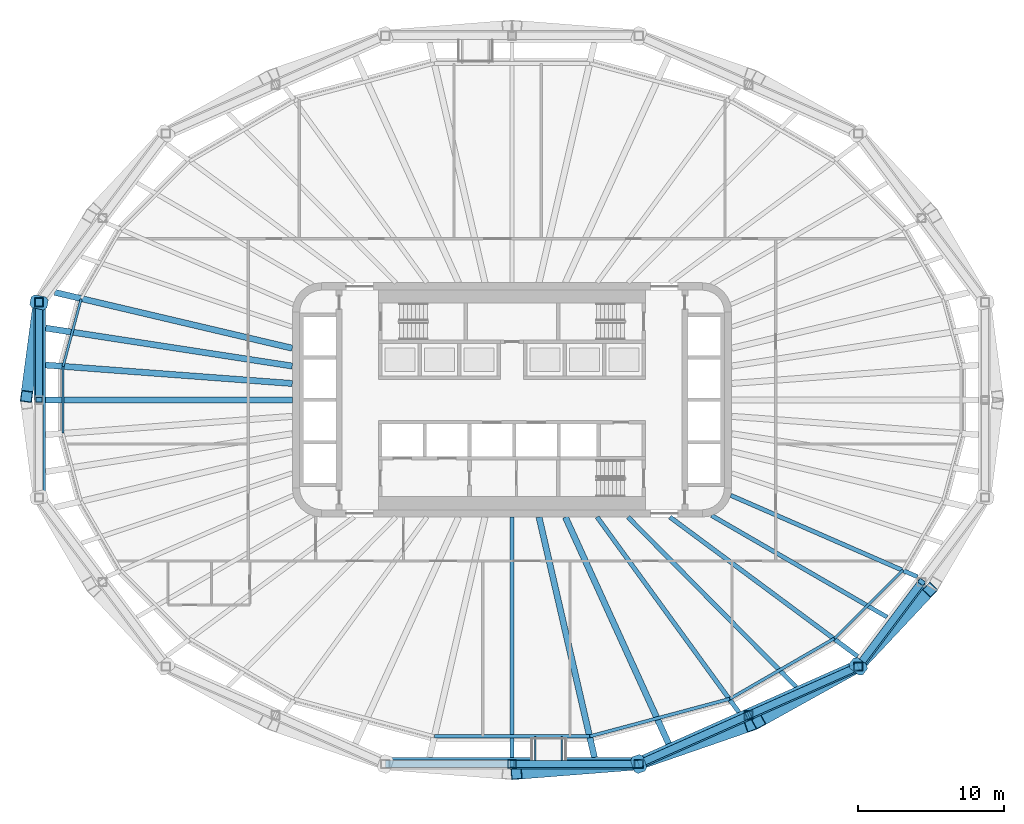
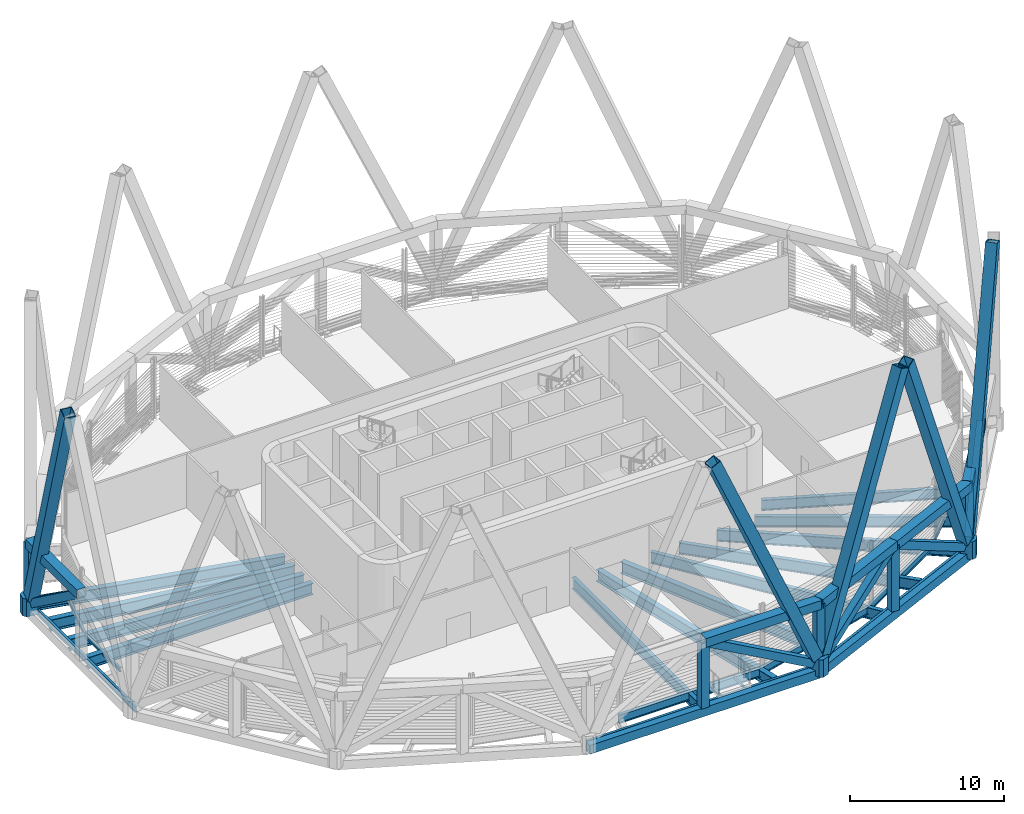
# One storey, part 2 of 18: 25 beams, 23 members.
"""IFC4 building model written with IfcOpenShell, lengths in metres."""

from ifc_helpers import new_model, si_unit, direction, frame, origin, origin_2d, place, context, subcontext, project, spatial, polyline, hollow_rectangle, i_section, outline, extrude, material, material_profile, profile_set, type_object, element, save


model = new_model("IFC4")

# Units and contexts
model_context = context("Model", 3, precision=1e-05, world=origin(), true_north=direction((0.0, 1.0)))
body_context = subcontext(model_context, "Body", "Model", "MODEL_VIEW")
ifc_project = project(units=[si_unit("LENGTHUNIT", "METRE"), si_unit("AREAUNIT", "SQUARE_METRE"), si_unit("VOLUMEUNIT", "CUBIC_METRE"), si_unit("PLANEANGLEUNIT", "RADIAN"), si_unit("MASSUNIT", "GRAM", prefix="KILO")], contexts=[model_context])

# Site, building, storey
site_placement = place(None, origin())
site = spatial("IfcSite", under=ifc_project, at=site_placement, CompositionType="ELEMENT")
building_placement = place(site_placement, origin())
building = spatial("IfcBuilding", under=site, at=building_placement, Name="Sahrelin Media Tower", CompositionType="ELEMENT")
storey_placement = place(building_placement, frame((0.0, 0.0, 197.60009765625)))
storey = spatial("IfcBuildingStorey", under=building, at=storey_placement, Name="L42", CompositionType="ELEMENT", Elevation=197.60009765625)

# Members
ifc_material_1 = material(Name="Steel S460", Category="steel")
ifc_material_profile_1 = material_profile(ifc_material_1, hollow_rectangle(XDim=0.699951171875, YDim=0.699951171875, WallThickness=0.044921875, at=origin_2d()), Name="Belt truss chord BC")
ifc_profile_set_1 = profile_set([ifc_material_profile_1], Name="Steel S460")
member_type_1 = type_object("IfcMemberType", Name="Belt truss chord BC", PredefinedType="CHORD", material=ifc_profile_set_1)
member_1_placement = place(storey_placement, frame((-32.288330078125, 6.6591796875, 4.849853515625), z_axis=(0.0, -1.0, 0.0), x_axis=(1.0, 0.0, 0.0)))
element("IfcMember", 1, at=member_1_placement, inside=storey, type_object=member_type_1, Name="Belt truss member BT09-05-T1", PredefinedType="CHORD", context=body_context, shape_type="SweptSolid", body=[
    extrude(hollow_rectangle(XDim=0.699951171875, YDim=0.699951171875, WallThickness=0.044921875, at=origin_2d()), origin(), (0.0, 0.0, 1.0), 6.6591796875),
])
member_2_placement = place(storey_placement, frame((0.0, -24.852294921875, 4.849853515625), z_axis=(1.0, 0.0, 0.0), x_axis=(0.0, 1.0, 0.0)))
element("IfcMember", 2, at=member_2_placement, inside=storey, type_object=member_type_1, Name="Belt truss member BT09-08-T2", PredefinedType="CHORD", context=body_context, shape_type="SweptSolid", body=[
    extrude(hollow_rectangle(XDim=0.699951171875, YDim=0.699951171875, WallThickness=0.044921875, at=origin_2d()), origin(), (0.0, 0.0, 1.0), 8.651611328125),
])
member_3_placement = place(storey_placement, frame((8.651611328125, -24.852294921875, 4.849853515625), z_axis=(0.913828738692, 0.406099786187, 0.0), x_axis=(-0.406099786187, 0.913828738692, 0.0)))
element("IfcMember", 3, at=member_3_placement, inside=storey, type_object=member_type_1, Name="Belt truss member BT09-09-T1", PredefinedType="CHORD", context=body_context, shape_type="SweptSolid", body=[
    extrude(hollow_rectangle(XDim=0.699951171875, YDim=0.699951171875, WallThickness=0.044921875, at=origin_2d()), origin(), (0.0, 0.0, 1.0), 8.198974609375),
])
member_4_placement = place(storey_placement, frame((16.14404296875, -21.522705078125, 4.849853515625), z_axis=(0.913833649239, 0.406088736016, 0.0), x_axis=(-0.406088736016, 0.913833649239, 0.0)))
element("IfcMember", 4, at=member_4_placement, inside=storey, type_object=member_type_1, Name="Belt truss member BT09-09-T2", PredefinedType="CHORD", context=body_context, shape_type="SweptSolid", body=[
    extrude(hollow_rectangle(XDim=0.699951171875, YDim=0.699951171875, WallThickness=0.044921875, at=origin_2d()), origin(), (0.0, 0.0, 1.0), 8.19921875),
])
member_5_placement = place(storey_placement, frame((23.63671875, -18.193115234375, 4.849853515625), z_axis=(0.600032510579, 0.799975616034, 0.0), x_axis=(-0.799975616034, 0.600032510579, 0.0)))
element("IfcMember", 5, at=member_5_placement, inside=storey, type_object=member_type_1, Name="Belt truss member BT09-10-T1", PredefinedType="CHORD", context=body_context, shape_type="SweptSolid", body=[
    extrude(hollow_rectangle(XDim=0.699951171875, YDim=0.699951171875, WallThickness=0.044921875, at=origin_2d()), origin(), (0.0, 0.0, 1.0), 7.208984375),
])
ifc_material_profile_2 = material_profile(ifc_material_1, hollow_rectangle(XDim=0.5, YDim=0.60009765625, WallThickness=0.030029296875, at=origin_2d()), Name="Belt truss diagonal BD")
ifc_profile_set_2 = profile_set([ifc_material_profile_2], Name="Steel S460")
member_type_2 = type_object("IfcMemberType", Name="Belt truss diagonal BD", PredefinedType="BRACE", material=ifc_profile_set_2)
member_6_placement = place(storey_placement, frame((-32.288330078125, 6.19970703125, 0.33447265625), z_axis=(0.0, -0.808332578732, 0.588726118124), x_axis=(1.0, 0.0, 0.0)))
element("IfcMember", 6, at=member_6_placement, inside=storey, type_object=member_type_2, Name="Belt truss member BT09-05-X1", PredefinedType="BRACE", context=body_context, shape_type="SweptSolid", body=[
    extrude(hollow_rectangle(XDim=0.5, YDim=0.60009765625, WallThickness=0.030029296875, at=origin_2d()), origin(), (0.0, 0.0, 1.0), 7.669677734375),
])
member_7_placement = place(storey_placement, frame((8.175048828125, -24.852294921875, 0.26708984375), z_axis=(-0.872290485618, 0.0, 0.488988045559), x_axis=(0.0, -1.0, 0.0)))
element("IfcMember", 7, at=member_7_placement, inside=storey, type_object=member_type_2, Name="Belt truss member BT09-08-X2", PredefinedType="BRACE", context=body_context, shape_type="SweptSolid", body=[
    extrude(hollow_rectangle(XDim=0.5, YDim=0.60009765625, WallThickness=0.030029296875, at=origin_2d()), origin(), (0.0, 0.0, 1.0), 9.371826171875),
])
member_8_placement = place(storey_placement, frame((9.064208984375, -24.668701171875, 0.26708984375), z_axis=(0.78653625123, 0.349505366852, 0.509123486045), x_axis=(-0.406074139919, 0.913840135302, 0.0)))
element("IfcMember", 8, at=member_8_placement, inside=storey, type_object=member_type_2, Name="Belt truss member BT09-09-X1", PredefinedType="BRACE", context=body_context, shape_type="SweptSolid", body=[
    extrude(hollow_rectangle(XDim=0.5, YDim=0.60009765625, WallThickness=0.030029296875, at=origin_2d()), origin(), (0.0, 0.0, 1.0), 9.001220703125),
])
member_9_placement = place(storey_placement, frame((23.1689453125, -18.40087890625, 0.302734375), z_axis=(-0.786532796821, -0.349530648257, 0.509111466629), x_axis=(0.406100158654, -0.913828573169, 0.0)))
element("IfcMember", 9, at=member_9_placement, inside=storey, type_object=member_type_2, Name="Belt truss member BT09-09-X2", PredefinedType="BRACE", context=body_context, shape_type="SweptSolid", body=[
    extrude(hollow_rectangle(XDim=0.5, YDim=0.60009765625, WallThickness=0.030029296875, at=origin_2d()), origin(), (0.0, 0.0, 1.0), 8.931396484375),
])
member_10_placement = place(storey_placement, frame((23.906494140625, -17.8330078125, 0.302734375), z_axis=(0.497883709861, 0.663735058225, 0.558182393075), x_axis=(-0.799952318915, 0.600063569519, 0.0)))
element("IfcMember", 10, at=member_10_placement, inside=storey, type_object=member_type_2, Name="Belt truss member BT09-10-X1", PredefinedType="BRACE", context=body_context, shape_type="SweptSolid", body=[
    extrude(hollow_rectangle(XDim=0.5, YDim=0.60009765625, WallThickness=0.030029296875, at=origin_2d()), origin(), (0.0, 0.0, 1.0), 8.146240234375),
])
ifc_material_profile_3 = material_profile(ifc_material_1, hollow_rectangle(XDim=0.60009765625, YDim=0.60009765625, WallThickness=0.034912109375, at=origin_2d()), Name="Belt truss post BP")
ifc_profile_set_3 = profile_set([ifc_material_profile_3], Name="Steel S460")
member_type_3 = type_object("IfcMemberType", Name="Belt truss post BP", PredefinedType="POST", material=ifc_profile_set_3)
member_11_placement = place(storey_placement, frame((-32.288330078125, 6.6591796875, 0.699951171875), z_axis=(0.0, 0.0, 1.0), x_axis=(1.0, 0.0, 0.0)))
element("IfcMember", 11, at=member_11_placement, inside=storey, type_object=member_type_3, Name="Belt truss member BT09-05-P0", PredefinedType="POST", context=body_context, shape_type="SweptSolid", body=[
    extrude(hollow_rectangle(XDim=0.60009765625, YDim=0.60009765625, WallThickness=0.034912109375, at=origin_2d()), origin(), (0.0, 0.0, 1.0), 4.14990234375),
])
member_12_placement = place(storey_placement, frame((0.0, -24.852294921875, -0.320068359375), z_axis=(0.0, 0.0, 1.0), x_axis=(1.0, 0.0, 0.0)))
element("IfcMember", 12, at=member_12_placement, inside=storey, type_object=member_type_3, Name="Belt truss member BT09-08-P1", PredefinedType="POST", context=body_context, shape_type="SweptSolid", body=[
    extrude(hollow_rectangle(XDim=0.60009765625, YDim=0.60009765625, WallThickness=0.034912109375, at=origin_2d()), origin(), (0.0, 0.0, 1.0), 5.169921875),
])
member_13_placement = place(storey_placement, frame((8.651611328125, -24.852294921875, 0.699951171875), z_axis=(0.0, 0.0, 1.0), x_axis=(1.0, 0.0, 0.0)))
element("IfcMember", 13, at=member_13_placement, inside=storey, type_object=member_type_3, Name="Belt truss member BT09-09-P0", PredefinedType="POST", context=body_context, shape_type="SweptSolid", body=[
    extrude(hollow_rectangle(XDim=0.60009765625, YDim=0.60009765625, WallThickness=0.034912109375, at=origin_2d()), origin(), (0.0, 0.0, 1.0), 4.14990234375),
])
member_14_placement = place(storey_placement, frame((16.14404296875, -21.522705078125, -0.320068359375), z_axis=(0.0, 0.0, 1.0), x_axis=(1.0, 0.0, 0.0)))
element("IfcMember", 14, at=member_14_placement, inside=storey, type_object=member_type_3, Name="Belt truss member BT09-09-P1", PredefinedType="POST", context=body_context, shape_type="SweptSolid", body=[
    extrude(hollow_rectangle(XDim=0.60009765625, YDim=0.60009765625, WallThickness=0.034912109375, at=origin_2d()), origin(), (0.0, 0.0, 1.0), 5.169921875),
])
member_15_placement = place(storey_placement, frame((23.63671875, -18.193115234375, 0.699951171875), z_axis=(0.0, 0.0, 1.0), x_axis=(1.0, 0.0, 0.0)))
element("IfcMember", 15, at=member_15_placement, inside=storey, type_object=member_type_3, Name="Belt truss member BT09-10-P0", PredefinedType="POST", context=body_context, shape_type="SweptSolid", body=[
    extrude(hollow_rectangle(XDim=0.60009765625, YDim=0.60009765625, WallThickness=0.034912109375, at=origin_2d()), origin(), (0.0, 0.0, 1.0), 4.14990234375),
])
ifc_material_profile_4 = material_profile(ifc_material_1, hollow_rectangle(XDim=0.800048828125, YDim=0.800048828125, WallThickness=0.044921875, at=origin_2d()), Name="Diagrid diagonal DG5")
ifc_profile_set_4 = profile_set([ifc_material_profile_4], Name="Steel S460")
member_type_4 = type_object("IfcMemberType", Name="Diagrid diagonal DG5", PredefinedType="BRACE", material=ifc_profile_set_4)
member_16_placement = place(storey_placement, frame((-32.319091796875, 6.426025390625, 0.699951171875), z_axis=(-0.041882656654, -0.315625510602, 0.947959060365), x_axis=(0.991310304721, -0.131544212162, 0.0)))
element("IfcMember", 16, at=member_16_placement, inside=storey, type_object=member_type_4, Name="Diagrid diagonal D09-11", PredefinedType="BRACE", context=body_context, shape_type="SweptSolid", body=[
    extrude(hollow_rectangle(XDim=0.800048828125, YDim=0.800048828125, WallThickness=0.044921875, at=origin_2d()), origin(), (0.0, 0.0, 1.0), 19.620849609375),
])
member_17_placement = place(storey_placement, frame((8.348876953125, -24.8759765625, 0.699951171875), z_axis=(-0.396841182378, -0.031186657231, 0.917357328624), x_axis=(0.078345692671, -0.996926252257, 0.0)))
element("IfcMember", 17, at=member_17_placement, inside=storey, type_object=member_type_4, Name="Diagrid diagonal D09-18", PredefinedType="BRACE", context=body_context, shape_type="SweptSolid", body=[
    extrude(hollow_rectangle(XDim=0.800048828125, YDim=0.800048828125, WallThickness=0.044921875, at=origin_2d()), origin(), (0.0, 0.0, 1.0), 20.275390625),
])
member_18_placement = place(storey_placement, frame((8.92919921875, -24.75634765625, 0.699951171875), z_axis=(0.365804045069, 0.12635634696, 0.922074549152), x_axis=(-0.326491805711, 0.945200032165, 0.0)))
element("IfcMember", 18, at=member_18_placement, inside=storey, type_object=member_type_4, Name="Diagrid diagonal D09-19", PredefinedType="BRACE", context=body_context, shape_type="SweptSolid", body=[
    extrude(hollow_rectangle(XDim=0.800048828125, YDim=0.800048828125, WallThickness=0.044921875, at=origin_2d()), origin(), (0.0, 0.0, 1.0), 20.171630859375),
])
member_19_placement = place(storey_placement, frame((23.389892578125, -18.330078125, 0.699951171875), z_axis=(-0.326945813054, -0.181708248993, 0.927409589973), x_axis=(0.485789373897, -0.874075903002, 0.0)))
element("IfcMember", 19, at=member_19_placement, inside=storey, type_object=member_type_4, Name="Diagrid diagonal D09-20", PredefinedType="BRACE", context=body_context, shape_type="SweptSolid", body=[
    extrude(hollow_rectangle(XDim=0.800048828125, YDim=0.800048828125, WallThickness=0.044921875, at=origin_2d()), origin(), (0.0, 0.0, 1.0), 20.0556640625),
])
member_20_placement = place(storey_placement, frame((23.814697265625, -18.003173828125, 0.699951171875), z_axis=(0.238573725504, 0.254320354115, 0.937231953671), x_axis=(-0.729324834274, 0.684167586276, 0.0)))
element("IfcMember", 20, at=member_20_placement, inside=storey, type_object=member_type_4, Name="Diagrid diagonal D09-21", PredefinedType="BRACE", context=body_context, shape_type="SweptSolid", body=[
    extrude(hollow_rectangle(XDim=0.800048828125, YDim=0.800048828125, WallThickness=0.044921875, at=origin_2d()), origin(), (0.0, 0.0, 1.0), 19.845458984375),
])
ifc_material_profile_5 = material_profile(ifc_material_1, outline(polyline([(0.39990234375, -0.449951171875), (0.60009765625, -0.25), (0.60009765625, 0.25), (0.39990234375, 0.449951171875), (-0.39990234375, 0.449951171875), (-0.60009765625, 0.25), (-0.60009765625, -0.25), (-0.39990234375, -0.449951171875), (0.39990234375, -0.449951171875)])), Name="Diagrid node block 1200")
ifc_profile_set_5 = profile_set([ifc_material_profile_5], Name="Steel S460")
member_type_5 = type_object("IfcMemberType", Name="Diagrid node block 1200", PredefinedType="USERDEFINED", material=ifc_profile_set_5)
for number, where, z_axis, x_axis, name in (
    (21, (-32.288330078125, 6.6591796875, -0.7001953125), (0.0, 0.0, 1.0), (-0.979388123462, 0.201987384808, 0.0), "Diagrid node N09-05"),
    (22, (8.651611328125, -24.852294921875, -0.7001953125), (0.0, 0.0, 1.0), (0.328769398381, -0.944410230085, 0.0), "Diagrid node N09-09"),
    (23, (23.63671875, -18.193115234375, -0.7001953125), (0.0, 0.0, 1.0), (0.792446158195, -0.609941871297, 0.0), "Diagrid node N09-10"),
):
    element("IfcMember", number, at=place(storey_placement, frame(where, z_axis=z_axis, x_axis=x_axis)), inside=storey, type_object=member_type_5, Name=name, ObjectType="NODE", PredefinedType="USERDEFINED", context=body_context, shape_type="SweptSolid", body=[
        extrude(outline(polyline([(0.39990234375, -0.449951171875), (0.60009765625, -0.25), (0.60009765625, 0.25), (0.39990234375, 0.449951171875), (-0.39990234375, 0.449951171875), (-0.60009765625, 0.25), (-0.60009765625, -0.25), (-0.39990234375, -0.449951171875), (0.39990234375, -0.449951171875)])), origin(), (0.0, 0.0, 1.0), 1.400146484375),
    ])

# Beams
ifc_material_profile_6 = material_profile(ifc_material_1, hollow_rectangle(XDim=0.5, YDim=0.699951171875, WallThickness=0.034912109375, at=origin_2d()), Name="Diagrid ring beam RB2")
ifc_profile_set_6 = profile_set([ifc_material_profile_6], Name="Steel S460")
beam_type_1 = type_object("IfcBeamType", Name="Diagrid ring beam RB2", PredefinedType="BEAM", material=ifc_profile_set_6)
beam_1_placement = place(storey_placement, frame((-8.651611328125, -24.852294921875, -0.650146484375), z_axis=(1.0, 0.0, 0.0), x_axis=(0.0, 1.0, 0.0)))
element("IfcBeam", 24, at=beam_1_placement, inside=storey, type_object=beam_type_1, Name="Diagrid ring beam RB09-08", PredefinedType="BEAM", context=body_context, shape_type="SweptSolid", body=[
    extrude(hollow_rectangle(XDim=0.5, YDim=0.699951171875, WallThickness=0.034912109375, at=origin_2d()), origin(), (0.0, 0.0, 1.0), 17.30322265625),
])
beam_2_placement = place(storey_placement, frame((8.651611328125, -24.852294921875, -0.650146484375), z_axis=(0.913831194015, 0.406094261033, 0.0), x_axis=(-0.406094261033, 0.913831194015, 0.0)))
element("IfcBeam", 25, at=beam_2_placement, inside=storey, type_object=beam_type_1, Name="Diagrid ring beam RB09-09", PredefinedType="BEAM", context=body_context, shape_type="SweptSolid", body=[
    extrude(hollow_rectangle(XDim=0.5, YDim=0.699951171875, WallThickness=0.034912109375, at=origin_2d()), origin(), (0.0, 0.0, 1.0), 16.398193359375),
])
ifc_material_2 = material(Name="Steel S355", Category="steel")
ifc_material_profile_7 = material_profile(ifc_material_2, i_section(OverallWidth=0.1650390625, OverallDepth=0.303466796875, WebThickness=0.006103515625, FlangeThickness=0.01025390625, FilletRadius=0.0087890625, at=origin_2d()), Name="UB 305x165x40")
ifc_profile_set_7 = profile_set([ifc_material_profile_7], Name="Steel S355")
beam_type_2 = type_object("IfcBeamType", Name="Edge beam EB2", PredefinedType="BEAM", material=ifc_profile_set_7)
beam_3_placement = place(storey_placement, frame((-30.649658203125, -2.267578125, -0.451904296875), z_axis=(0.0, 1.0, 0.0), x_axis=(-1.0, 0.0, 0.0)))
element("IfcBeam", 26, at=beam_3_placement, inside=storey, type_object=beam_type_2, Name="Edge beam L42-13", PredefinedType="BEAM", context=body_context, shape_type="SweptSolid", body=[
    extrude(i_section(OverallWidth=0.1650390625, OverallDepth=0.303466796875, WebThickness=0.006103515625, FlangeThickness=0.01025390625, FilletRadius=0.0087890625, at=origin_2d()), origin(), (0.0, 0.0, 1.0), 4.53515625),
])
beam_4_placement = place(storey_placement, frame((-30.64599609375, 2.296142578125, -0.451904296875), z_axis=(0.258840645059, 0.965920038339, 0.0), x_axis=(-0.965920038339, 0.258840645059, 0.0)))
element("IfcBeam", 27, at=beam_4_placement, inside=storey, type_object=beam_type_2, Name="Edge beam L42-14", PredefinedType="BEAM", context=body_context, shape_type="SweptSolid", body=[
    extrude(i_section(OverallWidth=0.1650390625, OverallDepth=0.303466796875, WebThickness=0.006103515625, FlangeThickness=0.01025390625, FilletRadius=0.0087890625, at=origin_2d()), origin(), (0.0, 0.0, 1.0), 4.746337890625),
])
ifc_material_profile_8 = material_profile(ifc_material_2, i_section(OverallWidth=0.177978515625, OverallDepth=0.406494140625, WebThickness=0.0078125, FlangeThickness=0.0126953125, FilletRadius=0.01025390625, at=origin_2d()), Name="UB 406x178x60")
ifc_profile_set_8 = profile_set([ifc_material_profile_8], Name="Steel S355")
beam_type_3 = type_object("IfcBeamType", Name="Edge beam EB4", PredefinedType="BEAM", material=ifc_profile_set_8)
beam_5_placement = place(storey_placement, frame((26.684326171875, -11.614990234375, -0.50341796875), z_axis=(-0.707125316339, -0.707088245549, 0.0), x_axis=(0.707088245549, -0.707125316339, 0.0)))
element("IfcBeam", 28, at=beam_5_placement, inside=storey, type_object=beam_type_3, Name="Edge beam L42-04", PredefinedType="BEAM", context=body_context, shape_type="SweptSolid", body=[
    extrude(i_section(OverallWidth=0.177978515625, OverallDepth=0.406494140625, WebThickness=0.0078125, FlangeThickness=0.0126953125, FilletRadius=0.01025390625, at=origin_2d()), origin(), (0.0, 0.0, 1.0), 6.585693359375),
])
ifc_material_profile_9 = material_profile(ifc_material_2, i_section(OverallWidth=0.208740234375, OverallDepth=0.5283203125, WebThickness=0.009521484375, FlangeThickness=0.01318359375, FilletRadius=0.0126953125, at=origin_2d()), Name="UB 533x210x82")
ifc_profile_set_9 = profile_set([ifc_material_profile_9], Name="Steel S355")
beam_type_4 = type_object("IfcBeamType", Name="Edge beam EB6", PredefinedType="BEAM", material=ifc_profile_set_9)
beam_6_placement = place(storey_placement, frame((22.00439453125, -16.289306640625, -0.564208984375), z_axis=(-0.866021932652, -0.500006012129, 0.0), x_axis=(0.500006012129, -0.866021932652, 0.0)))
element("IfcBeam", 29, at=beam_6_placement, inside=storey, type_object=beam_type_4, Name="Edge beam L42-05", PredefinedType="BEAM", context=body_context, shape_type="SweptSolid", body=[
    extrude(i_section(OverallWidth=0.208740234375, OverallDepth=0.5283203125, WebThickness=0.009521484375, FlangeThickness=0.01318359375, FilletRadius=0.0126953125, at=origin_2d()), origin(), (0.0, 0.0, 1.0), 8.22314453125),
])
ifc_material_profile_10 = material_profile(ifc_material_2, i_section(OverallWidth=0.2275390625, OverallDepth=0.6025390625, WebThickness=0.010498046875, FlangeThickness=0.014892578125, FilletRadius=0.0126953125, at=origin_2d()), Name="UB 610x229x101")
ifc_profile_set_10 = profile_set([ifc_material_profile_10], Name="Steel S355")
beam_type_5 = type_object("IfcBeamType", Name="Edge beam EB7", PredefinedType="BEAM", material=ifc_profile_set_10)
beam_7_placement = place(storey_placement, frame((14.8564453125, -20.412109375, -0.601318359375), z_axis=(-0.9659328091, -0.258792983491, 0.0), x_axis=(0.258792983491, -0.9659328091, 0.0)))
element("IfcBeam", 30, at=beam_7_placement, inside=storey, type_object=beam_type_5, Name="Edge beam L42-06", PredefinedType="BEAM", context=body_context, shape_type="SweptSolid", body=[
    extrude(i_section(OverallWidth=0.2275390625, OverallDepth=0.6025390625, WebThickness=0.010498046875, FlangeThickness=0.014892578125, FilletRadius=0.0126953125, at=origin_2d()), origin(), (0.0, 0.0, 1.0), 9.865966796875),
])
ifc_material_profile_11 = material_profile(ifc_material_2, i_section(OverallWidth=0.2529296875, OverallDepth=0.677978515625, WebThickness=0.01171875, FlangeThickness=0.01611328125, FilletRadius=0.01513671875, at=origin_2d()), Name="UB 686x254x125")
ifc_profile_set_11 = profile_set([ifc_material_profile_11], Name="Steel S355")
beam_type_6 = type_object("IfcBeamType", Name="Edge beam EB8", PredefinedType="BEAM", material=ifc_profile_set_11)
beam_8_placement = place(storey_placement, frame((5.298095703125, -22.96923828125, -0.63916015625), z_axis=(-1.0, 0.0, 0.0), x_axis=(0.0, -1.0, 0.0)))
element("IfcBeam", 31, at=beam_8_placement, inside=storey, type_object=beam_type_6, Name="Edge beam L42-07", PredefinedType="BEAM", context=body_context, shape_type="SweptSolid", body=[
    extrude(i_section(OverallWidth=0.2529296875, OverallDepth=0.677978515625, WebThickness=0.01171875, FlangeThickness=0.01611328125, FilletRadius=0.01513671875, at=origin_2d()), origin(), (0.0, 0.0, 1.0), 10.59619140625),
])
ifc_material_profile_12 = material_profile(ifc_material_2, hollow_rectangle(XDim=0.10009765625, YDim=0.199951171875, WallThickness=0.008056640625, at=origin_2d()), Name="RHS 200x100x8")
ifc_profile_set_12 = profile_set([ifc_material_profile_12], Name="Steel S355")
beam_type_7 = type_object("IfcBeamType", Name="Platform support beam", PredefinedType="BEAM", material=ifc_profile_set_12)
for number, where, z_axis, x_axis, name in (
    (32, (1.60009765625, -22.97509765625, -0.400146484375), (0.0, -1.0, 0.0), (1.0, 0.0, 0.0), "Platform support beam L42-18"),
    (33, (3.39990234375, -22.97509765625, -0.400146484375), (0.0, -1.0, 0.0), (1.0, 0.0, 0.0), "Platform support beam L42-18"),
):
    element("IfcBeam", number, at=place(storey_placement, frame(where, z_axis=z_axis, x_axis=x_axis)), inside=storey, type_object=beam_type_7, Name=name, PredefinedType="BEAM", context=body_context, shape_type="SweptSolid", body=[
        extrude(hollow_rectangle(XDim=0.10009765625, YDim=0.199951171875, WallThickness=0.008056640625, at=origin_2d()), origin(), (0.0, 0.0, 1.0), 1.627197265625),
    ])
ifc_material_profile_13 = material_profile(ifc_material_2, i_section(OverallWidth=0.291748046875, OverallDepth=0.8349609375, WebThickness=0.013916015625, FlangeThickness=0.018798828125, FilletRadius=0.017822265625, at=origin_2d()), Name="UB 838x292x176")
ifc_profile_set_13 = profile_set([ifc_material_profile_13], Name="Steel S355")
beam_type_8 = type_object("IfcBeamType", Name="Radial primary beam PB10", PredefinedType="BEAM", material=ifc_profile_set_13)
beam_9_placement = place(storey_placement, frame((14.932373046875, -6.513671875, -0.717529296875), z_axis=(0.916592987985, -0.399821578178, 0.0), x_axis=(0.399821578178, 0.916592987985, 0.0)))
element("IfcBeam", 34, at=beam_9_placement, inside=storey, type_object=beam_type_8, Name="Radial beam L42-22", PredefinedType="BEAM", context=body_context, shape_type="SweptSolid", body=[
    extrude(i_section(OverallWidth=0.291748046875, OverallDepth=0.8349609375, WebThickness=0.013916015625, FlangeThickness=0.018798828125, FilletRadius=0.017822265625, at=origin_2d()), origin(), (0.0, 0.0, 1.0), 13.89892578125),
])
ifc_material_profile_14 = material_profile(ifc_material_2, i_section(OverallWidth=0.30322265625, OverallDepth=0.903076171875, WebThickness=0.01513671875, FlangeThickness=0.020263671875, FilletRadius=0.01904296875, at=origin_2d()), Name="UB 914x305x201")
ifc_profile_set_14 = profile_set([ifc_material_profile_14], Name="Steel S355")
beam_type_9 = type_object("IfcBeamType", Name="Radial primary beam PB11", PredefinedType="BEAM", material=ifc_profile_set_14)
beam_10_placement = place(storey_placement, frame((5.81201171875, -8.0, -0.751708984375), z_axis=(0.58777324028, -0.809025721477, 0.0), x_axis=(0.809025721477, 0.58777324028, 0.0)))
element("IfcBeam", 35, at=beam_10_placement, inside=storey, type_object=beam_type_9, Name="Radial beam L42-20", PredefinedType="BEAM", context=body_context, shape_type="SweptSolid", body=[
    extrude(i_section(OverallWidth=0.30322265625, OverallDepth=0.903076171875, WebThickness=0.01513671875, FlangeThickness=0.020263671875, FilletRadius=0.01904296875, at=origin_2d()), origin(), (0.0, 0.0, 1.0), 16.469970703125),
])
beam_11_placement = place(storey_placement, frame((10.78369140625, -8.0, -0.751708984375), z_axis=(0.803127556371, -0.595807123319, 0.0), x_axis=(0.595807123319, 0.803127556371, 0.0)))
element("IfcBeam", 36, at=beam_11_placement, inside=storey, type_object=beam_type_9, Name="Radial beam L42-21", PredefinedType="BEAM", context=body_context, shape_type="SweptSolid", body=[
    extrude(i_section(OverallWidth=0.30322265625, OverallDepth=0.903076171875, WebThickness=0.01513671875, FlangeThickness=0.020263671875, FilletRadius=0.01904296875, at=origin_2d()), origin(), (0.0, 0.0, 1.0), 15.952880859375),
])
ifc_material_profile_15 = material_profile(ifc_material_2, i_section(OverallWidth=0.41845703125, OverallDepth=0.911865234375, WebThickness=0.019287109375, FlangeThickness=0.031982421875, FilletRadius=0.024169921875, at=origin_2d()), Name="UB 914x419x343")
ifc_profile_set_15 = profile_set([ifc_material_profile_15], Name="Steel S355")
beam_type_10 = type_object("IfcBeamType", Name="Radial primary beam PB12", PredefinedType="BEAM", material=ifc_profile_set_15)
beam_12_placement = place(storey_placement, frame((-15.0, 3.52880859375, -0.756103515625), z_axis=(-0.973427353013, 0.228996044522, 0.0), x_axis=(-0.228996044522, -0.973427353013, 0.0)))
element("IfcBeam", 37, at=beam_12_placement, inside=storey, type_object=beam_type_10, Name="Radial beam L42-11", PredefinedType="BEAM", context=body_context, shape_type="SweptSolid", body=[
    extrude(i_section(OverallWidth=0.41845703125, OverallDepth=0.911865234375, WebThickness=0.019287109375, FlangeThickness=0.031982421875, FilletRadius=0.024169921875, at=origin_2d()), origin(), (0.0, 0.0, 1.0), 16.660400390625),
])
beam_13_placement = place(storey_placement, frame((-15.0, 1.12109375, -0.756103515625), z_axis=(-0.997218869088, 0.074528700068, 0.0), x_axis=(-0.074528700068, -0.997218869088, 0.0)))
element("IfcBeam", 38, at=beam_13_placement, inside=storey, type_object=beam_type_10, Name="Radial beam L42-12", PredefinedType="BEAM", context=body_context, shape_type="SweptSolid", body=[
    extrude(i_section(OverallWidth=0.41845703125, OverallDepth=0.911865234375, WebThickness=0.019287109375, FlangeThickness=0.031982421875, FilletRadius=0.024169921875, at=origin_2d()), origin(), (0.0, 0.0, 1.0), 16.889892578125),
])
beam_14_placement = place(storey_placement, frame((1.84521484375, -8.0, -0.756103515625), z_axis=(0.224747253769, -0.974417093407, 0.0), x_axis=(0.974417093407, 0.224747253769, 0.0)))
element("IfcBeam", 39, at=beam_14_placement, inside=storey, type_object=beam_type_10, Name="Radial beam L42-19", PredefinedType="BEAM", context=body_context, shape_type="SweptSolid", body=[
    extrude(i_section(OverallWidth=0.41845703125, OverallDepth=0.911865234375, WebThickness=0.019287109375, FlangeThickness=0.031982421875, FilletRadius=0.024169921875, at=origin_2d()), origin(), (0.0, 0.0, 1.0), 16.83740234375),
])
ifc_material_profile_16 = material_profile(ifc_material_2, i_section(OverallWidth=0.291748046875, OverallDepth=0.8349609375, WebThickness=0.013916015625, FlangeThickness=0.018798828125, FilletRadius=0.017822265625, at=origin_2d()), Name="UB 838x292x176")
ifc_profile_set_16 = profile_set([ifc_material_profile_16], Name="Steel S355")
beam_type_11 = type_object("IfcBeamType", Name="Radial secondary beam SB10", PredefinedType="BEAM", material=ifc_profile_set_16)
beam_15_placement = place(storey_placement, frame((13.624267578125, -7.8876953125, -0.717529296875), z_axis=(0.865415419841, -0.501055037996, 0.0), x_axis=(0.501055037996, 0.865415419841, 0.0)))
element("IfcBeam", 40, at=beam_15_placement, inside=storey, type_object=beam_type_11, Name="Secondary beam L42-21", PredefinedType="BEAM", context=body_context, shape_type="SweptSolid", body=[
    extrude(i_section(OverallWidth=0.291748046875, OverallDepth=0.8349609375, WebThickness=0.013916015625, FlangeThickness=0.018798828125, FilletRadius=0.017822265625, at=origin_2d()), origin(), (0.0, 0.0, 1.0), 13.84521484375),
])
ifc_material_profile_17 = material_profile(ifc_material_2, i_section(OverallWidth=0.30322265625, OverallDepth=0.903076171875, WebThickness=0.01513671875, FlangeThickness=0.020263671875, FilletRadius=0.01904296875, at=origin_2d()), Name="UB 914x305x201")
ifc_profile_set_17 = profile_set([ifc_material_profile_17], Name="Steel S355")
beam_type_12 = type_object("IfcBeamType", Name="Radial secondary beam SB11", PredefinedType="BEAM", material=ifc_profile_set_17)
beam_16_placement = place(storey_placement, frame((0.0, -8.0, -0.751708984375), z_axis=(0.0, -1.0, 0.0), x_axis=(1.0, 0.0, 0.0)))
element("IfcBeam", 41, at=beam_16_placement, inside=storey, type_object=beam_type_12, Name="Secondary beam L42-18", PredefinedType="BEAM", context=body_context, shape_type="SweptSolid", body=[
    extrude(i_section(OverallWidth=0.30322265625, OverallDepth=0.903076171875, WebThickness=0.01513671875, FlangeThickness=0.020263671875, FilletRadius=0.01904296875, at=origin_2d()), origin(), (0.0, 0.0, 1.0), 16.40673828125),
])
beam_17_placement = place(storey_placement, frame((7.920654296875, -8.0, -0.751708984375), z_axis=(0.703572795113, -0.710623192681, 0.0), x_axis=(0.710623192681, 0.703572795113, 0.0)))
element("IfcBeam", 42, at=beam_17_placement, inside=storey, type_object=beam_type_12, Name="Secondary beam L42-20", PredefinedType="BEAM", context=body_context, shape_type="SweptSolid", body=[
    extrude(i_section(OverallWidth=0.30322265625, OverallDepth=0.903076171875, WebThickness=0.01513671875, FlangeThickness=0.020263671875, FilletRadius=0.01904296875, at=origin_2d()), origin(), (0.0, 0.0, 1.0), 16.309814453125),
])
ifc_material_profile_18 = material_profile(ifc_material_2, i_section(OverallWidth=0.41845703125, OverallDepth=0.911865234375, WebThickness=0.019287109375, FlangeThickness=0.031982421875, FilletRadius=0.024169921875, at=origin_2d()), Name="UB 914x419x343")
ifc_profile_set_18 = profile_set([ifc_material_profile_18], Name="Steel S355")
beam_type_13 = type_object("IfcBeamType", Name="Radial secondary beam SB12", PredefinedType="BEAM", material=ifc_profile_set_18)
beam_18_placement = place(storey_placement, frame((-15.0, 2.310302734375, -0.756103515625), z_axis=(-0.988343027912, 0.152243420801, 0.0), x_axis=(-0.152243420801, -0.988343027912, 0.0)))
element("IfcBeam", 43, at=beam_18_placement, inside=storey, type_object=beam_type_13, Name="Secondary beam L42-11", PredefinedType="BEAM", context=body_context, shape_type="SweptSolid", body=[
    extrude(i_section(OverallWidth=0.41845703125, OverallDepth=0.911865234375, WebThickness=0.019287109375, FlangeThickness=0.031982421875, FilletRadius=0.024169921875, at=origin_2d()), origin(), (0.0, 0.0, 1.0), 17.041748046875),
])
beam_19_placement = place(storey_placement, frame((-15.0, 0.0, -0.756103515625), z_axis=(-1.0, 0.0, 0.0), x_axis=(0.0, -1.0, 0.0)))
element("IfcBeam", 44, at=beam_19_placement, inside=storey, type_object=beam_type_13, Name="Secondary beam L42-12", PredefinedType="BEAM", context=body_context, shape_type="SweptSolid", body=[
    extrude(i_section(OverallWidth=0.41845703125, OverallDepth=0.911865234375, WebThickness=0.019287109375, FlangeThickness=0.031982421875, FilletRadius=0.024169921875, at=origin_2d()), origin(), (0.0, 0.0, 1.0), 16.843017578125),
])
beam_20_placement = place(storey_placement, frame((3.644775390625, -8.0, -0.756103515625), z_axis=(0.414586695092, -0.910009819866, 0.0), x_axis=(0.910009819866, 0.414586695092, 0.0)))
element("IfcBeam", 45, at=beam_20_placement, inside=storey, type_object=beam_type_13, Name="Secondary beam L42-19", PredefinedType="BEAM", context=body_context, shape_type="SweptSolid", body=[
    extrude(i_section(OverallWidth=0.41845703125, OverallDepth=0.911865234375, WebThickness=0.019287109375, FlangeThickness=0.031982421875, FilletRadius=0.024169921875, at=origin_2d()), origin(), (0.0, 0.0, 1.0), 16.988525390625),
])
ifc_material_profile_19 = material_profile(ifc_material_2, i_section(OverallWidth=0.1904296875, OverallDepth=0.45703125, WebThickness=0.009033203125, FlangeThickness=0.014404296875, FilletRadius=0.01025390625, at=origin_2d()), Name="UB 457x191x74")
ifc_profile_set_19 = profile_set([ifc_material_profile_19], Name="Steel S355")
beam_type_14 = type_object("IfcBeamType", Name="Tie chord TC5", PredefinedType="BEAM", material=ifc_profile_set_19)
beam_21_placement = place(storey_placement, frame((23.4111328125, -17.909912109375, -0.528564453125), z_axis=(-0.913828293648, -0.406100787649, 0.0), x_axis=(0.406100787649, -0.913828293648, 0.0)))
element("IfcBeam", 46, at=beam_21_placement, inside=storey, type_object=beam_type_14, Name="Tie chord L42-03", PredefinedType="BEAM", context=body_context, shape_type="SweptSolid", body=[
    extrude(i_section(OverallWidth=0.1904296875, OverallDepth=0.45703125, WebThickness=0.009033203125, FlangeThickness=0.014404296875, FilletRadius=0.01025390625, at=origin_2d()), origin(), (0.0, 0.0, 1.0), 16.232421875),
])
beam_22_placement = place(storey_placement, frame((8.577392578125, -24.501953125, -0.528564453125), z_axis=(-1.0, 0.0, 0.0), x_axis=(0.0, -1.0, 0.0)))
element("IfcBeam", 47, at=beam_22_placement, inside=storey, type_object=beam_type_14, Name="Tie chord L42-04", PredefinedType="BEAM", context=body_context, shape_type="SweptSolid", body=[
    extrude(i_section(OverallWidth=0.1904296875, OverallDepth=0.45703125, WebThickness=0.009033203125, FlangeThickness=0.014404296875, FilletRadius=0.01025390625, at=origin_2d()), origin(), (0.0, 0.0, 1.0), 17.15478515625),
])
beam_23_placement = place(storey_placement, frame((-31.93798828125, -6.54248046875, -0.528564453125), z_axis=(0.0, 1.0, 0.0), x_axis=(-1.0, 0.0, 0.0)))
element("IfcBeam", 48, at=beam_23_placement, inside=storey, type_object=beam_type_14, Name="Tie chord L42-07", PredefinedType="BEAM", context=body_context, shape_type="SweptSolid", body=[
    extrude(i_section(OverallWidth=0.1904296875, OverallDepth=0.45703125, WebThickness=0.009033203125, FlangeThickness=0.014404296875, FilletRadius=0.01025390625, at=origin_2d()), origin(), (0.0, 0.0, 1.0), 13.0849609375),
])

save(model, "model.ifc")
